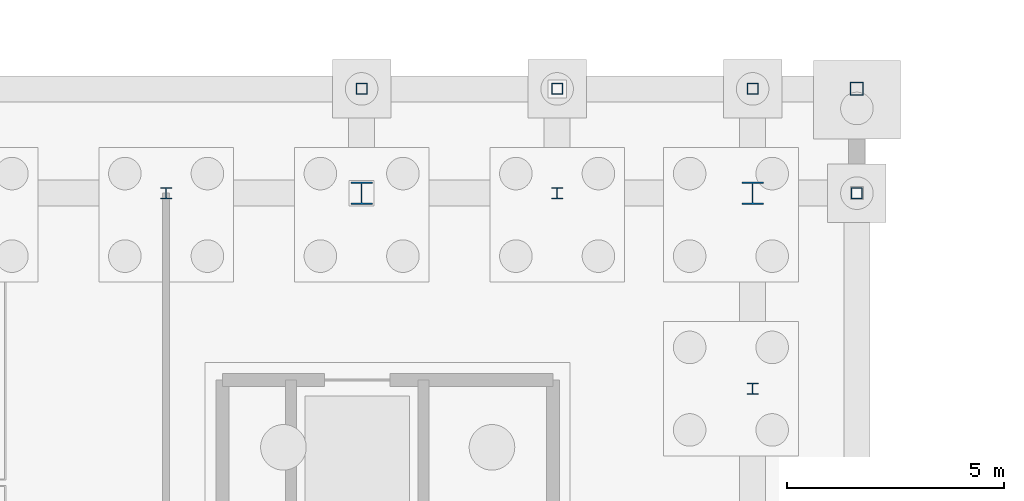
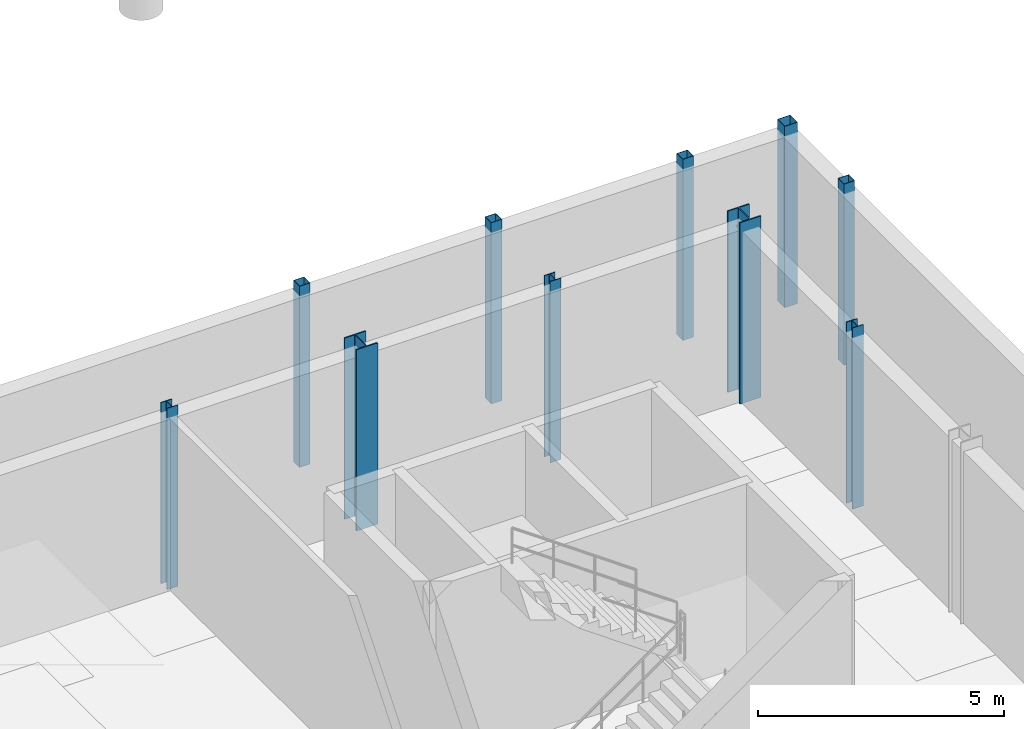
# One storey, part 10 of 48: 10 columns.
"""IFC4 building model written with IfcOpenShell, lengths in metres."""

from ifc_helpers import new_model, si_unit, direction, frame, origin, origin_2d, place, context, subcontext, project, spatial, hollow_rectangle, i_section, extrude, material, material_profile, profile_set, type_object, element, save


model = new_model("IFC4")

# Units and contexts
model_context = context("Model", 3, precision=1e-05, world=origin(), true_north=direction((0.0, 1.0)))
body_context = subcontext(model_context, "Body", "Model", "MODEL_VIEW")
ifc_project = project(units=[si_unit("LENGTHUNIT", "METRE"), si_unit("AREAUNIT", "SQUARE_METRE"), si_unit("VOLUMEUNIT", "CUBIC_METRE"), si_unit("PLANEANGLEUNIT", "RADIAN"), si_unit("MASSUNIT", "GRAM", prefix="KILO"), si_unit("THERMODYNAMICTEMPERATUREUNIT", "KELVIN"), si_unit("POWERUNIT", "WATT")], contexts=[model_context])

# Site, building, storey
site_placement = place(None, origin())
site = spatial("IfcSite", under=ifc_project, at=site_placement, CompositionType="ELEMENT")
building_placement = place(site_placement, origin())
building = spatial("IfcBuilding", under=site, at=building_placement, Name="Tallowbark Science Centre", CompositionType="ELEMENT")
storey_placement = place(building_placement, frame((0.0, 0.0, -4.5)))
storey = spatial("IfcBuildingStorey", under=building, at=storey_placement, Name="B1", CompositionType="ELEMENT", Elevation=-4.5)

# Columns
ifc_material_1 = material(Name="White Architectural Painted Steel Grade C350L0 (350 MPa)", Category="steel")
ifc_material_profile_1 = material_profile(ifc_material_1, hollow_rectangle(XDim=0.25, YDim=0.25, WallThickness=0.009033203125, at=origin_2d()), Name="250x250x9.0SHS")
ifc_profile_set_1 = profile_set([ifc_material_profile_1], Name="White Architectural Painted Steel Grade C350L0 (350 MPa)")
column_type_1 = type_object("IfcColumnType", Name="COL-SCR200", PredefinedType="COLUMN", material=ifc_profile_set_1)
for number, where, z_axis, x_axis, name in (
    (1, (94.5, 42.89990234375, 0.0), (0.0, 0.0, 1.0), (1.0, 0.0, 0.0), "Column SCR-N05 B1"),
    (2, (103.5, 42.89990234375, 0.0), (0.0, 0.0, 1.0), (1.0, 0.0, 0.0), "Column SCR-N06 B1"),
    (3, (99.0, 42.89990234375, 0.0), (0.0, 0.0, 1.0), (1.0, 0.0, 0.0), "Column SCR-NLNK B1"),
    (4, (105.89990234375, 40.5, 0.0), (0.0, 0.0, 1.0), (1.0, 0.0, 0.0), "Column SCR-E05 B1"),
):
    element("IfcColumn", number, at=place(storey_placement, frame(where, z_axis=z_axis, x_axis=x_axis)), inside=storey, type_object=column_type_1, Name=name, PredefinedType="COLUMN", context=body_context, shape_type="SweptSolid", body=[
        extrude(hollow_rectangle(XDim=0.25, YDim=0.25, WallThickness=0.009033203125, at=origin_2d()), origin(), (0.0, 0.0, 1.0), 4.5),
    ])
ifc_material_profile_2 = material_profile(ifc_material_1, hollow_rectangle(XDim=0.300048828125, YDim=0.300048828125, WallThickness=0.010009765625, at=origin_2d()), Name="300x300x10.0SHS")
ifc_profile_set_2 = profile_set([ifc_material_profile_2], Name="White Architectural Painted Steel Grade C350L0 (350 MPa)")
column_type_2 = type_object("IfcColumnType", Name="COL-SCR300", PredefinedType="COLUMN", material=ifc_profile_set_2)
column_placement = place(storey_placement, frame((105.89990234375, 42.89990234375, 0.0), z_axis=(0.0, 0.0, 1.0), x_axis=(1.0, 0.0, 0.0)))
element("IfcColumn", 5, at=column_placement, inside=storey, type_object=column_type_2, Name="Column SCR-N07 B1", PredefinedType="COLUMN", context=body_context, shape_type="SweptSolid", body=[
    extrude(hollow_rectangle(XDim=0.300048828125, YDim=0.300048828125, WallThickness=0.010009765625, at=origin_2d()), origin(), (0.0, 0.0, 1.0), 4.5),
])
ifc_material_2 = material(Name="Structural Steel Grade 300PLUS (300 MPa)", Category="steel")
ifc_material_profile_3 = material_profile(ifc_material_2, i_section(OverallWidth=0.5, OverallDepth=0.513916015625, WebThickness=0.02197265625, FlangeThickness=0.031982421875, FilletRadius=0.01611328125, at=origin_2d()), Name="500WC340")
ifc_profile_set_3 = profile_set([ifc_material_profile_3], Name="Structural Steel Grade 300PLUS (300 MPa)")
column_type_3 = type_object("IfcColumnType", Name="COL-WC500", PredefinedType="COLUMN", material=ifc_profile_set_3)
for number, where, z_axis, x_axis, name in (
    (6, (94.5, 40.5, 0.0), (0.0, 0.0, 1.0), (1.0, 0.0, 0.0), "Column CUB-M4_4 B1"),
    (7, (103.5, 40.5, 0.0), (0.0, 0.0, 1.0), (1.0, 0.0, 0.0), "Column CUB-M5_4 B1"),
):
    element("IfcColumn", number, at=place(storey_placement, frame(where, z_axis=z_axis, x_axis=x_axis)), inside=storey, type_object=column_type_3, Name=name, PredefinedType="COLUMN", context=body_context, shape_type="SweptSolid", body=[
        extrude(i_section(OverallWidth=0.5, OverallDepth=0.513916015625, WebThickness=0.02197265625, FlangeThickness=0.031982421875, FilletRadius=0.01611328125, at=origin_2d()), origin(), (0.0, 0.0, 1.0), 4.5),
    ])
ifc_material_profile_4 = material_profile(ifc_material_2, i_section(OverallWidth=0.256103515625, OverallDepth=0.260009765625, WebThickness=0.010498046875, FlangeThickness=0.017333984375, FilletRadius=0.013916015625, at=origin_2d()), Name="250UC89.5")
ifc_profile_set_4 = profile_set([ifc_material_profile_4], Name="Structural Steel Grade 300PLUS (300 MPa)")
column_type_4 = type_object("IfcColumnType", Name="PIL-UC250", PredefinedType="PILASTER", material=ifc_profile_set_4)
for number, where, z_axis, x_axis, name in (
    (8, (90.0, 40.5, 0.0), (0.0, 0.0, 1.0), (1.0, 0.0, 0.0), "Column CUB-PN-3 B1"),
    (9, (99.0, 40.5, 0.0), (0.0, 0.0, 1.0), (1.0, 0.0, 0.0), "Column CUB-PN-4 B1"),
    (10, (103.5, 36.0, 0.0), (0.0, 0.0, 1.0), (1.0, 0.0, 0.0), "Column CUB-PE-3 B1"),
):
    element("IfcColumn", number, at=place(storey_placement, frame(where, z_axis=z_axis, x_axis=x_axis)), inside=storey, type_object=column_type_4, Name=name, PredefinedType="PILASTER", context=body_context, shape_type="SweptSolid", body=[
        extrude(i_section(OverallWidth=0.256103515625, OverallDepth=0.260009765625, WebThickness=0.010498046875, FlangeThickness=0.017333984375, FilletRadius=0.013916015625, at=origin_2d()), origin(), (0.0, 0.0, 1.0), 4.5),
    ])

save(model, "model.ifc")
